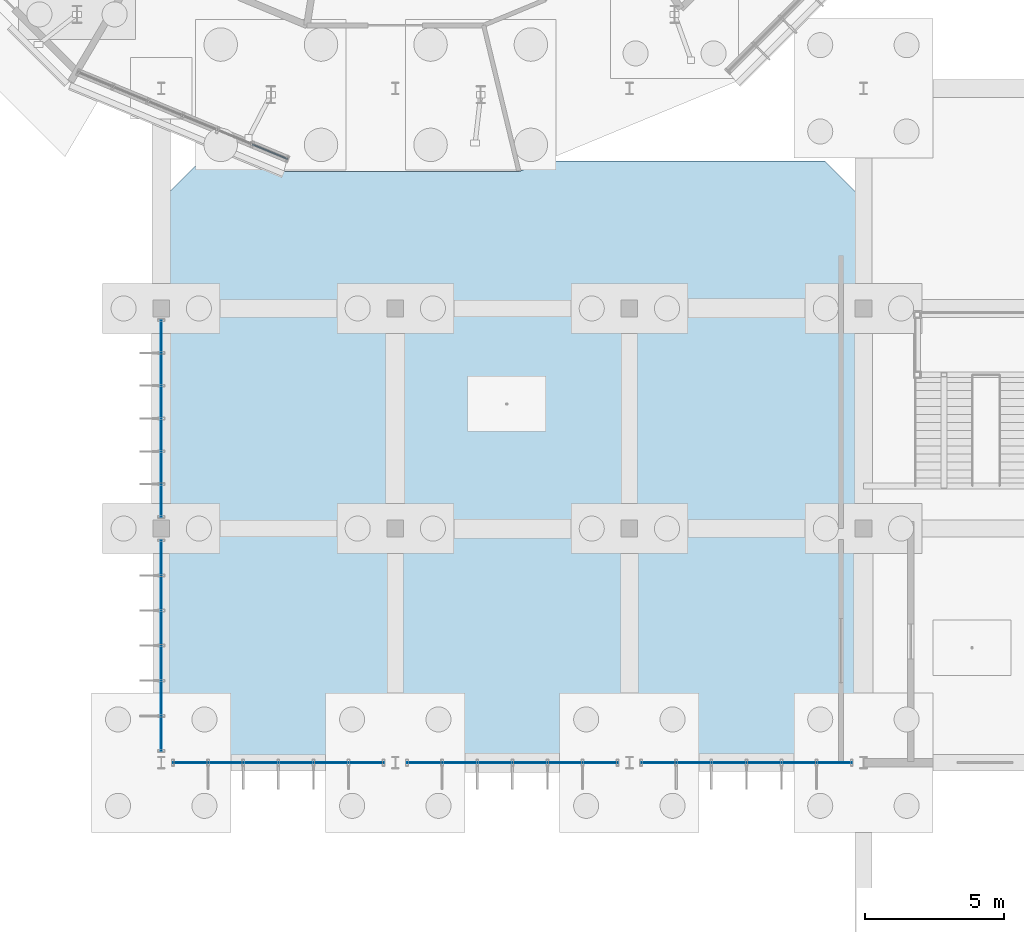
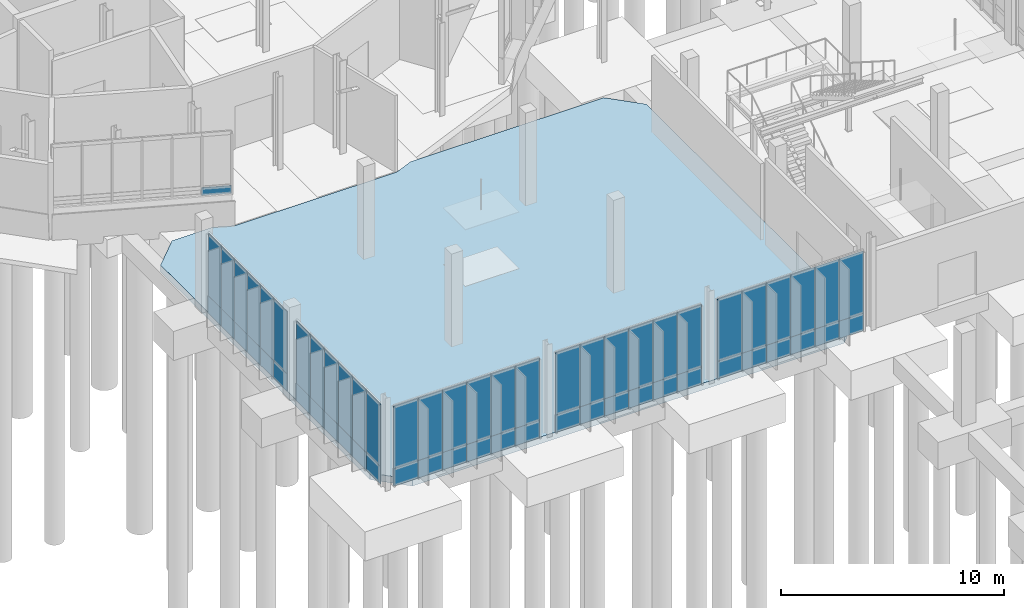
# One storey, part 65 of 119: 61 plates, 1 slab, 6 elements without a shape of their own.
"""IFC4 building model written with IfcOpenShell, lengths in metres."""

from ifc_helpers import new_model, si_unit, derived_unit, direction, frame, origin, origin_2d, place, context, subcontext, project, spatial, polyline, rectangle, outline, extrude, material, layer, layer_set, type_object, element, aggregate, save


model = new_model("IFC4")

# Units and contexts
model_context = context("Model", 3, precision=1e-05, world=origin(), true_north=direction((0.0, 1.0)))
body_context = subcontext(model_context, "Body", "Model", "MODEL_VIEW")
ifc_project = project(units=[si_unit("LENGTHUNIT", "METRE"), si_unit("AREAUNIT", "SQUARE_METRE"), si_unit("VOLUMEUNIT", "CUBIC_METRE"), si_unit("PLANEANGLEUNIT", "RADIAN"), si_unit("MASSUNIT", "GRAM", prefix="KILO"), derived_unit("THERMALTRANSMITTANCEUNIT", [(si_unit("MASSUNIT", "GRAM", prefix="KILO"), 1), (si_unit("TIMEUNIT", "SECOND"), -3), (si_unit("THERMODYNAMICTEMPERATUREUNIT", "KELVIN"), -1)])], contexts=[model_context])

# Site, building, storey
site_placement = place(None, origin())
site = spatial("IfcSite", under=ifc_project, at=site_placement, CompositionType="ELEMENT")
building_placement = place(site_placement, origin())
building = spatial("IfcBuilding", under=site, at=building_placement, Name="Makaiwela Harbour Ferry Terminal", CompositionType="ELEMENT")
storey_placement = place(building_placement, origin())
storey = spatial("IfcBuildingStorey", under=building, at=storey_placement, Name="L00", CompositionType="ELEMENT", Elevation=0.0)

# Curtain wall, plates
ifc_material_1 = material(Name="Marine anodised aluminium 6063-T6", Category="aluminium")
ifc_layer_1 = layer(ifc_material_1, 0.199951171875)
ifc_layer_set_1 = layer_set([ifc_layer_1], Name="Marine anodised aluminium 6063-T6")
curtain_wall_type_1 = type_object("IfcCurtainWallType", Name="ENV-CW-10", PredefinedType="USERDEFINED", material=ifc_layer_set_1)
curtain_wall_1_placement = place(storey_placement, origin())
curtain_wall_1 = element("IfcCurtainWall", 1, at=curtain_wall_1_placement, inside=storey, type_object=curtain_wall_type_1, Name="Unitised Curtain Wall CWA-097", ObjectType="UNITIZED CURTAIN WALL", PredefinedType="USERDEFINED")
ifc_material_2 = material(Name="Laminated hurricane-impact low-E insulated glazing", Category="glass")
ifc_layer_2 = layer(ifc_material_2, 0.031982421875)
ifc_layer_set_2 = layer_set([ifc_layer_2], Name="Laminated hurricane-impact low-E insulated glazing")
plate_type_1 = type_object("IfcPlateType", Name="CW-PNL-G14", PredefinedType="CURTAIN_PANEL", material=ifc_layer_set_2)
plate_1_placement = place(storey_placement, frame((36.75, 25.199951171875, 0.949951171875), z_axis=(0.0, 0.0, 1.0), x_axis=(-1.0, 0.0, 0.0)))
plate_1 = element("IfcPlate", 2, at=plate_1_placement, type_object=plate_type_1, Name="Glazed Vision Panel CWA-097-1G", PredefinedType="CURTAIN_PANEL", context=body_context, shape_type="SweptSolid", body=[
    extrude(rectangle(XDim=1.260009765625, YDim=0.031982421875, at=origin_2d()), origin(), (0.0, 0.0, 1.0), 3.39990234375),
])
plate_2_placement = place(storey_placement, frame((35.489990234375, 25.199951171875, 0.949951171875), z_axis=(0.0, 0.0, 1.0), x_axis=(-1.0, 0.0, 0.0)))
plate_2 = element("IfcPlate", 3, at=plate_2_placement, type_object=plate_type_1, Name="Glazed Vision Panel CWA-097-2G", PredefinedType="CURTAIN_PANEL", context=body_context, shape_type="SweptSolid", body=[
    extrude(rectangle(XDim=1.260009765625, YDim=0.031982421875, at=origin_2d()), origin(), (0.0, 0.0, 1.0), 3.39990234375),
])
plate_3_placement = place(storey_placement, frame((34.22998046875, 25.199951171875, 0.949951171875), z_axis=(0.0, 0.0, 1.0), x_axis=(-1.0, 0.0, 0.0)))
plate_3 = element("IfcPlate", 4, at=plate_3_placement, type_object=plate_type_1, Name="Glazed Vision Panel CWA-097-3G", PredefinedType="CURTAIN_PANEL", context=body_context, shape_type="SweptSolid", body=[
    extrude(rectangle(XDim=1.260009765625, YDim=0.031982421875, at=origin_2d()), origin(), (0.0, 0.0, 1.0), 3.39990234375),
])
plate_4_placement = place(storey_placement, frame((32.969970703125, 25.199951171875, 0.949951171875), z_axis=(0.0, 0.0, 1.0), x_axis=(-1.0, 0.0, 0.0)))
plate_4 = element("IfcPlate", 5, at=plate_4_placement, type_object=plate_type_1, Name="Glazed Vision Panel CWA-097-4G", PredefinedType="CURTAIN_PANEL", context=body_context, shape_type="SweptSolid", body=[
    extrude(rectangle(XDim=1.260009765625, YDim=0.031982421875, at=origin_2d()), origin(), (0.0, 0.0, 1.0), 3.39990234375),
])
plate_5_placement = place(storey_placement, frame((31.7099609375, 25.199951171875, 0.949951171875), z_axis=(0.0, 0.0, 1.0), x_axis=(-1.0, 0.0, 0.0)))
plate_5 = element("IfcPlate", 6, at=plate_5_placement, type_object=plate_type_1, Name="Glazed Vision Panel CWA-097-5G", PredefinedType="CURTAIN_PANEL", context=body_context, shape_type="SweptSolid", body=[
    extrude(rectangle(XDim=1.260009765625, YDim=0.031982421875, at=origin_2d()), origin(), (0.0, 0.0, 1.0), 3.39990234375),
])
plate_6_placement = place(storey_placement, frame((30.449951171875, 25.199951171875, 0.949951171875), z_axis=(0.0, 0.0, 1.0), x_axis=(-1.0, 0.0, 0.0)))
plate_6 = element("IfcPlate", 7, at=plate_6_placement, type_object=plate_type_1, Name="Glazed Vision Panel CWA-097-6G", PredefinedType="CURTAIN_PANEL", context=body_context, shape_type="SweptSolid", body=[
    extrude(rectangle(XDim=1.260009765625, YDim=0.031982421875, at=origin_2d()), origin(), (0.0, 0.0, 1.0), 3.39990234375),
])

curtain_wall_2_placement = place(storey_placement, origin())
curtain_wall_2 = element("IfcCurtainWall", 8, at=curtain_wall_2_placement, inside=storey, type_object=curtain_wall_type_1, Name="Unitised Curtain Wall CWA-100", ObjectType="UNITIZED CURTAIN WALL", PredefinedType="USERDEFINED")
plate_7_placement = place(storey_placement, frame((45.14990234375, 25.199951171875, 0.949951171875), z_axis=(0.0, 0.0, 1.0), x_axis=(-1.0, 0.0, 0.0)))
plate_7 = element("IfcPlate", 9, at=plate_7_placement, type_object=plate_type_1, Name="Glazed Vision Panel CWA-100-1G", PredefinedType="CURTAIN_PANEL", context=body_context, shape_type="SweptSolid", body=[
    extrude(rectangle(XDim=1.260009765625, YDim=0.031982421875, at=origin_2d()), origin(), (0.0, 0.0, 1.0), 3.39990234375),
])
plate_8_placement = place(storey_placement, frame((43.889892578125, 25.199951171875, 0.949951171875), z_axis=(0.0, 0.0, 1.0), x_axis=(-1.0, 0.0, 0.0)))
plate_8 = element("IfcPlate", 10, at=plate_8_placement, type_object=plate_type_1, Name="Glazed Vision Panel CWA-100-2G", PredefinedType="CURTAIN_PANEL", context=body_context, shape_type="SweptSolid", body=[
    extrude(rectangle(XDim=1.260009765625, YDim=0.031982421875, at=origin_2d()), origin(), (0.0, 0.0, 1.0), 3.39990234375),
])
plate_9_placement = place(storey_placement, frame((42.6298828125, 25.199951171875, 0.949951171875), z_axis=(0.0, 0.0, 1.0), x_axis=(-1.0, 0.0, 0.0)))
plate_9 = element("IfcPlate", 11, at=plate_9_placement, type_object=plate_type_1, Name="Glazed Vision Panel CWA-100-3G", PredefinedType="CURTAIN_PANEL", context=body_context, shape_type="SweptSolid", body=[
    extrude(rectangle(XDim=1.260009765625, YDim=0.031982421875, at=origin_2d()), origin(), (0.0, 0.0, 1.0), 3.39990234375),
])
plate_10_placement = place(storey_placement, frame((41.3701171875, 25.199951171875, 0.949951171875), z_axis=(0.0, 0.0, 1.0), x_axis=(-1.0, 0.0, 0.0)))
plate_10 = element("IfcPlate", 12, at=plate_10_placement, type_object=plate_type_1, Name="Glazed Vision Panel CWA-100-4G", PredefinedType="CURTAIN_PANEL", context=body_context, shape_type="SweptSolid", body=[
    extrude(rectangle(XDim=1.260009765625, YDim=0.031982421875, at=origin_2d()), origin(), (0.0, 0.0, 1.0), 3.39990234375),
])
plate_11_placement = place(storey_placement, frame((40.110107421875, 25.199951171875, 0.949951171875), z_axis=(0.0, 0.0, 1.0), x_axis=(-1.0, 0.0, 0.0)))
plate_11 = element("IfcPlate", 13, at=plate_11_placement, type_object=plate_type_1, Name="Glazed Vision Panel CWA-100-5G", PredefinedType="CURTAIN_PANEL", context=body_context, shape_type="SweptSolid", body=[
    extrude(rectangle(XDim=1.260009765625, YDim=0.031982421875, at=origin_2d()), origin(), (0.0, 0.0, 1.0), 3.39990234375),
])
plate_12_placement = place(storey_placement, frame((38.85009765625, 25.199951171875, 0.949951171875), z_axis=(0.0, 0.0, 1.0), x_axis=(-1.0, 0.0, 0.0)))
plate_12 = element("IfcPlate", 14, at=plate_12_placement, type_object=plate_type_1, Name="Glazed Vision Panel CWA-100-6G", PredefinedType="CURTAIN_PANEL", context=body_context, shape_type="SweptSolid", body=[
    extrude(rectangle(XDim=1.260009765625, YDim=0.031982421875, at=origin_2d()), origin(), (0.0, 0.0, 1.0), 3.39990234375),
])

curtain_wall_3_placement = place(storey_placement, origin())
curtain_wall_3 = element("IfcCurtainWall", 15, at=curtain_wall_3_placement, inside=storey, type_object=curtain_wall_type_1, Name="Unitised Curtain Wall CWA-103", ObjectType="UNITIZED CURTAIN WALL", PredefinedType="USERDEFINED")
plate_13_placement = place(storey_placement, frame((53.550048828125, 25.199951171875, 0.949951171875), z_axis=(0.0, 0.0, 1.0), x_axis=(-1.0, 0.0, 0.0)))
plate_13 = element("IfcPlate", 16, at=plate_13_placement, type_object=plate_type_1, Name="Glazed Vision Panel CWA-103-1G", PredefinedType="CURTAIN_PANEL", context=body_context, shape_type="SweptSolid", body=[
    extrude(rectangle(XDim=1.260009765625, YDim=0.031982421875, at=origin_2d()), origin(), (0.0, 0.0, 1.0), 3.39990234375),
])
plate_14_placement = place(storey_placement, frame((52.2900390625, 25.199951171875, 0.949951171875), z_axis=(0.0, 0.0, 1.0), x_axis=(-1.0, 0.0, 0.0)))
plate_14 = element("IfcPlate", 17, at=plate_14_placement, type_object=plate_type_1, Name="Glazed Vision Panel CWA-103-2G", PredefinedType="CURTAIN_PANEL", context=body_context, shape_type="SweptSolid", body=[
    extrude(rectangle(XDim=1.260009765625, YDim=0.031982421875, at=origin_2d()), origin(), (0.0, 0.0, 1.0), 3.39990234375),
])
plate_15_placement = place(storey_placement, frame((51.030029296875, 25.199951171875, 0.949951171875), z_axis=(0.0, 0.0, 1.0), x_axis=(-1.0, 0.0, 0.0)))
plate_15 = element("IfcPlate", 18, at=plate_15_placement, type_object=plate_type_1, Name="Glazed Vision Panel CWA-103-3G", PredefinedType="CURTAIN_PANEL", context=body_context, shape_type="SweptSolid", body=[
    extrude(rectangle(XDim=1.260009765625, YDim=0.031982421875, at=origin_2d()), origin(), (0.0, 0.0, 1.0), 3.39990234375),
])
plate_16_placement = place(storey_placement, frame((49.77001953125, 25.199951171875, 0.949951171875), z_axis=(0.0, 0.0, 1.0), x_axis=(-1.0, 0.0, 0.0)))
plate_16 = element("IfcPlate", 19, at=plate_16_placement, type_object=plate_type_1, Name="Glazed Vision Panel CWA-103-4G", PredefinedType="CURTAIN_PANEL", context=body_context, shape_type="SweptSolid", body=[
    extrude(rectangle(XDim=1.260009765625, YDim=0.031982421875, at=origin_2d()), origin(), (0.0, 0.0, 1.0), 3.39990234375),
])
plate_17_placement = place(storey_placement, frame((48.510009765625, 25.199951171875, 0.949951171875), z_axis=(0.0, 0.0, 1.0), x_axis=(-1.0, 0.0, 0.0)))
plate_17 = element("IfcPlate", 20, at=plate_17_placement, type_object=plate_type_1, Name="Glazed Vision Panel CWA-103-5G", PredefinedType="CURTAIN_PANEL", context=body_context, shape_type="SweptSolid", body=[
    extrude(rectangle(XDim=1.260009765625, YDim=0.031982421875, at=origin_2d()), origin(), (0.0, 0.0, 1.0), 3.39990234375),
])
plate_18_placement = place(storey_placement, frame((47.25, 25.199951171875, 0.949951171875), z_axis=(0.0, 0.0, 1.0), x_axis=(-1.0, 0.0, 0.0)))
plate_18 = element("IfcPlate", 21, at=plate_18_placement, type_object=plate_type_1, Name="Glazed Vision Panel CWA-103-6G", PredefinedType="CURTAIN_PANEL", context=body_context, shape_type="SweptSolid", body=[
    extrude(rectangle(XDim=1.260009765625, YDim=0.031982421875, at=origin_2d()), origin(), (0.0, 0.0, 1.0), 3.39990234375),
])

curtain_wall_4_placement = place(storey_placement, origin())
curtain_wall_4 = element("IfcCurtainWall", 22, at=curtain_wall_4_placement, inside=storey, type_object=curtain_wall_type_1, Name="Unitised Curtain Wall CWA-114", ObjectType="UNITIZED CURTAIN WALL", PredefinedType="USERDEFINED")
plate_19_placement = place(storey_placement, frame((29.39990234375, 26.25, 0.949951171875), z_axis=(0.0, 0.0, 1.0), x_axis=(0.0, 1.0, 0.0)))
plate_19 = element("IfcPlate", 23, at=plate_19_placement, type_object=plate_type_1, Name="Glazed Vision Panel CWA-114-1G", PredefinedType="CURTAIN_PANEL", context=body_context, shape_type="SweptSolid", body=[
    extrude(rectangle(XDim=1.260009765625, YDim=0.031982421875, at=origin_2d()), origin(), (0.0, 0.0, 1.0), 3.39990234375),
])
plate_20_placement = place(storey_placement, frame((29.39990234375, 27.510009765625, 0.949951171875), z_axis=(0.0, 0.0, 1.0), x_axis=(0.0, 1.0, 0.0)))
plate_20 = element("IfcPlate", 24, at=plate_20_placement, type_object=plate_type_1, Name="Glazed Vision Panel CWA-114-2G", PredefinedType="CURTAIN_PANEL", context=body_context, shape_type="SweptSolid", body=[
    extrude(rectangle(XDim=1.260009765625, YDim=0.031982421875, at=origin_2d()), origin(), (0.0, 0.0, 1.0), 3.39990234375),
])
plate_21_placement = place(storey_placement, frame((29.39990234375, 28.77001953125, 0.949951171875), z_axis=(0.0, 0.0, 1.0), x_axis=(0.0, 1.0, 0.0)))
plate_21 = element("IfcPlate", 25, at=plate_21_placement, type_object=plate_type_1, Name="Glazed Vision Panel CWA-114-3G", PredefinedType="CURTAIN_PANEL", context=body_context, shape_type="SweptSolid", body=[
    extrude(rectangle(XDim=1.260009765625, YDim=0.031982421875, at=origin_2d()), origin(), (0.0, 0.0, 1.0), 3.39990234375),
])
plate_22_placement = place(storey_placement, frame((29.39990234375, 30.030029296875, 0.949951171875), z_axis=(0.0, 0.0, 1.0), x_axis=(0.0, 1.0, 0.0)))
plate_22 = element("IfcPlate", 26, at=plate_22_placement, type_object=plate_type_1, Name="Glazed Vision Panel CWA-114-4G", PredefinedType="CURTAIN_PANEL", context=body_context, shape_type="SweptSolid", body=[
    extrude(rectangle(XDim=1.260009765625, YDim=0.031982421875, at=origin_2d()), origin(), (0.0, 0.0, 1.0), 3.39990234375),
])
plate_23_placement = place(storey_placement, frame((29.39990234375, 31.2900390625, 0.949951171875), z_axis=(0.0, 0.0, 1.0), x_axis=(0.0, 1.0, 0.0)))
plate_23 = element("IfcPlate", 27, at=plate_23_placement, type_object=plate_type_1, Name="Glazed Vision Panel CWA-114-5G", PredefinedType="CURTAIN_PANEL", context=body_context, shape_type="SweptSolid", body=[
    extrude(rectangle(XDim=1.260009765625, YDim=0.031982421875, at=origin_2d()), origin(), (0.0, 0.0, 1.0), 3.39990234375),
])
plate_24_placement = place(storey_placement, frame((29.39990234375, 32.550048828125, 0.949951171875), z_axis=(0.0, 0.0, 1.0), x_axis=(0.0, 1.0, 0.0)))
plate_24 = element("IfcPlate", 28, at=plate_24_placement, type_object=plate_type_1, Name="Glazed Vision Panel CWA-114-6G", PredefinedType="CURTAIN_PANEL", context=body_context, shape_type="SweptSolid", body=[
    extrude(rectangle(XDim=1.260009765625, YDim=0.031982421875, at=origin_2d()), origin(), (0.0, 0.0, 1.0), 3.39990234375),
])

ifc_layer_3 = layer(ifc_material_1, 0.199951171875)
ifc_layer_set_3 = layer_set([ifc_layer_3], Name="Marine anodised aluminium 6063-T6")
curtain_wall_type_2 = type_object("IfcCurtainWallType", Name="ENV-CW-12", PredefinedType="USERDEFINED", material=ifc_layer_set_3)
curtain_wall_5_placement = place(storey_placement, origin())
curtain_wall_5 = element("IfcCurtainWall", 29, at=curtain_wall_5_placement, inside=storey, type_object=curtain_wall_type_2, Name="Unitised Curtain Wall CWA-117", ObjectType="UNITIZED CURTAIN WALL", PredefinedType="USERDEFINED")
ifc_layer_4 = layer(ifc_material_2, 0.031982421875)
ifc_layer_set_4 = layer_set([ifc_layer_4], Name="Laminated hurricane-impact low-E insulated glazing")
plate_type_2 = type_object("IfcPlateType", Name="CW-PNL-G17", PredefinedType="CURTAIN_PANEL", material=ifc_layer_set_4)
plate_25_placement = place(storey_placement, frame((29.39990234375, 34.6083984375, 0.949951171875), z_axis=(0.0, 0.0, 1.0), x_axis=(0.0, 1.0, 0.0)))
plate_25 = element("IfcPlate", 30, at=plate_25_placement, type_object=plate_type_2, Name="Glazed Vision Panel CWA-117-1G", PredefinedType="CURTAIN_PANEL", context=body_context, shape_type="SweptSolid", body=[
    extrude(rectangle(XDim=1.1767578125, YDim=0.031982421875, at=origin_2d()), origin(), (0.0, 0.0, 1.0), 3.39990234375),
])
plate_26_placement = place(storey_placement, frame((29.39990234375, 35.784912109375, 0.949951171875), z_axis=(0.0, 0.0, 1.0), x_axis=(0.0, 1.0, 0.0)))
plate_26 = element("IfcPlate", 31, at=plate_26_placement, type_object=plate_type_2, Name="Glazed Vision Panel CWA-117-2G", PredefinedType="CURTAIN_PANEL", context=body_context, shape_type="SweptSolid", body=[
    extrude(rectangle(XDim=1.1767578125, YDim=0.031982421875, at=origin_2d()), origin(), (0.0, 0.0, 1.0), 3.39990234375),
])
plate_27_placement = place(storey_placement, frame((29.39990234375, 36.961669921875, 0.949951171875), z_axis=(0.0, 0.0, 1.0), x_axis=(0.0, 1.0, 0.0)))
plate_27 = element("IfcPlate", 32, at=plate_27_placement, type_object=plate_type_2, Name="Glazed Vision Panel CWA-117-3G", PredefinedType="CURTAIN_PANEL", context=body_context, shape_type="SweptSolid", body=[
    extrude(rectangle(XDim=1.1767578125, YDim=0.031982421875, at=origin_2d()), origin(), (0.0, 0.0, 1.0), 3.39990234375),
])
plate_28_placement = place(storey_placement, frame((29.39990234375, 38.13818359375, 0.949951171875), z_axis=(0.0, 0.0, 1.0), x_axis=(0.0, 1.0, 0.0)))
plate_28 = element("IfcPlate", 33, at=plate_28_placement, type_object=plate_type_2, Name="Glazed Vision Panel CWA-117-4G", PredefinedType="CURTAIN_PANEL", context=body_context, shape_type="SweptSolid", body=[
    extrude(rectangle(XDim=1.1767578125, YDim=0.031982421875, at=origin_2d()), origin(), (0.0, 0.0, 1.0), 3.39990234375),
])
plate_29_placement = place(storey_placement, frame((29.39990234375, 39.31494140625, 0.949951171875), z_axis=(0.0, 0.0, 1.0), x_axis=(0.0, 1.0, 0.0)))
plate_29 = element("IfcPlate", 34, at=plate_29_placement, type_object=plate_type_2, Name="Glazed Vision Panel CWA-117-5G", PredefinedType="CURTAIN_PANEL", context=body_context, shape_type="SweptSolid", body=[
    extrude(rectangle(XDim=1.1767578125, YDim=0.031982421875, at=origin_2d()), origin(), (0.0, 0.0, 1.0), 3.39990234375),
])
plate_30_placement = place(storey_placement, frame((29.39990234375, 40.49169921875, 0.949951171875), z_axis=(0.0, 0.0, 1.0), x_axis=(0.0, 1.0, 0.0)))
plate_30 = element("IfcPlate", 35, at=plate_30_placement, type_object=plate_type_2, Name="Glazed Vision Panel CWA-117-6G", PredefinedType="CURTAIN_PANEL", context=body_context, shape_type="SweptSolid", body=[
    extrude(rectangle(XDim=1.1767578125, YDim=0.031982421875, at=origin_2d()), origin(), (0.0, 0.0, 1.0), 3.39990234375),
])

# Curtain wall, plate
ifc_layer_5 = layer(ifc_material_1, 0.199951171875)
ifc_layer_set_5 = layer_set([ifc_layer_5], Name="Marine anodised aluminium 6063-T6")
curtain_wall_type_3 = type_object("IfcCurtainWallType", Name="ENV-CW-01", PredefinedType="USERDEFINED", material=ifc_layer_set_5)
curtain_wall_6_placement = place(storey_placement, origin())
curtain_wall_6 = element("IfcCurtainWall", 36, at=curtain_wall_6_placement, inside=storey, type_object=curtain_wall_type_3, Name="Unitised Curtain Wall CWA-008", ObjectType="UNITIZED CURTAIN WALL", PredefinedType="USERDEFINED")
ifc_material_3 = material(Name="Insulated marine aluminium spandrel panel", Category="aluminium")
ifc_layer_6 = layer(ifc_material_3, 0.048095703125)
ifc_layer_set_6 = layer_set([ifc_layer_6], Name="Insulated marine aluminium spandrel panel")
plate_type_3 = type_object("IfcPlateType", Name="CW-PNL-S01", PredefinedType="CURTAIN_PANEL", material=ifc_layer_set_6)
plate_31_placement = place(storey_placement, frame((33.29931640625, 47.12451171875, 1.47998046875), z_axis=(0.0, 0.0, 1.0), x_axis=(0.923879532511, -0.382683432365, 0.0)))
plate_31 = element("IfcPlate", 37, at=plate_31_placement, type_object=plate_type_3, Name="Spandrel Panel CWA-008-6S", PredefinedType="CURTAIN_PANEL", context=body_context, shape_type="SweptSolid", body=[
    extrude(rectangle(XDim=1.355712890625, YDim=0.048095703125, at=origin_2d()), origin(), (0.0, 0.0, 1.0), 0.419921875),
])
aggregate(curtain_wall_6, [plate_31])

# Plate
ifc_layer_7 = layer(ifc_material_3, 0.048095703125)
ifc_layer_set_7 = layer_set([ifc_layer_7], Name="Insulated marine aluminium spandrel panel")
plate_type_4 = type_object("IfcPlateType", Name="CW-PNL-S11", PredefinedType="CURTAIN_PANEL", material=ifc_layer_set_7)
plate_32_placement = place(storey_placement, frame((36.75, 25.199951171875, 0.0), z_axis=(0.0, 0.0, 1.0), x_axis=(-1.0, 0.0, 0.0)))
plate_32 = element("IfcPlate", 38, at=plate_32_placement, type_object=plate_type_4, Name="Spandrel Panel CWA-097-1S", PredefinedType="CURTAIN_PANEL", context=body_context, shape_type="SweptSolid", body=[
    extrude(rectangle(XDim=1.260009765625, YDim=0.048095703125, at=origin_2d()), origin(), (0.0, 0.0, 1.0), 0.949951171875),
])

plate_33_placement = place(storey_placement, frame((35.489990234375, 25.199951171875, 0.0), z_axis=(0.0, 0.0, 1.0), x_axis=(-1.0, 0.0, 0.0)))
plate_33 = element("IfcPlate", 39, at=plate_33_placement, type_object=plate_type_4, Name="Spandrel Panel CWA-097-2S", PredefinedType="CURTAIN_PANEL", context=body_context, shape_type="SweptSolid", body=[
    extrude(rectangle(XDim=1.260009765625, YDim=0.048095703125, at=origin_2d()), origin(), (0.0, 0.0, 1.0), 0.949951171875),
])

plate_34_placement = place(storey_placement, frame((34.22998046875, 25.199951171875, 0.0), z_axis=(0.0, 0.0, 1.0), x_axis=(-1.0, 0.0, 0.0)))
plate_34 = element("IfcPlate", 40, at=plate_34_placement, type_object=plate_type_4, Name="Spandrel Panel CWA-097-3S", PredefinedType="CURTAIN_PANEL", context=body_context, shape_type="SweptSolid", body=[
    extrude(rectangle(XDim=1.260009765625, YDim=0.048095703125, at=origin_2d()), origin(), (0.0, 0.0, 1.0), 0.949951171875),
])

plate_35_placement = place(storey_placement, frame((32.969970703125, 25.199951171875, 0.0), z_axis=(0.0, 0.0, 1.0), x_axis=(-1.0, 0.0, 0.0)))
plate_35 = element("IfcPlate", 41, at=plate_35_placement, type_object=plate_type_4, Name="Spandrel Panel CWA-097-4S", PredefinedType="CURTAIN_PANEL", context=body_context, shape_type="SweptSolid", body=[
    extrude(rectangle(XDim=1.260009765625, YDim=0.048095703125, at=origin_2d()), origin(), (0.0, 0.0, 1.0), 0.949951171875),
])

plate_36_placement = place(storey_placement, frame((31.7099609375, 25.199951171875, 0.0), z_axis=(0.0, 0.0, 1.0), x_axis=(-1.0, 0.0, 0.0)))
plate_36 = element("IfcPlate", 42, at=plate_36_placement, type_object=plate_type_4, Name="Spandrel Panel CWA-097-5S", PredefinedType="CURTAIN_PANEL", context=body_context, shape_type="SweptSolid", body=[
    extrude(rectangle(XDim=1.260009765625, YDim=0.048095703125, at=origin_2d()), origin(), (0.0, 0.0, 1.0), 0.949951171875),
])

plate_37_placement = place(storey_placement, frame((30.449951171875, 25.199951171875, 0.0), z_axis=(0.0, 0.0, 1.0), x_axis=(-1.0, 0.0, 0.0)))
plate_37 = element("IfcPlate", 43, at=plate_37_placement, type_object=plate_type_4, Name="Spandrel Panel CWA-097-6S", PredefinedType="CURTAIN_PANEL", context=body_context, shape_type="SweptSolid", body=[
    extrude(rectangle(XDim=1.260009765625, YDim=0.048095703125, at=origin_2d()), origin(), (0.0, 0.0, 1.0), 0.949951171875),
])

aggregate(curtain_wall_1, [plate_32, plate_1, plate_33, plate_2, plate_34, plate_3, plate_35, plate_4, plate_36, plate_5, plate_37, plate_6])

plate_38_placement = place(storey_placement, frame((45.14990234375, 25.199951171875, 0.0), z_axis=(0.0, 0.0, 1.0), x_axis=(-1.0, 0.0, 0.0)))
plate_38 = element("IfcPlate", 44, at=plate_38_placement, type_object=plate_type_4, Name="Spandrel Panel CWA-100-1S", PredefinedType="CURTAIN_PANEL", context=body_context, shape_type="SweptSolid", body=[
    extrude(rectangle(XDim=1.260009765625, YDim=0.048095703125, at=origin_2d()), origin(), (0.0, 0.0, 1.0), 0.949951171875),
])

plate_39_placement = place(storey_placement, frame((43.889892578125, 25.199951171875, 0.0), z_axis=(0.0, 0.0, 1.0), x_axis=(-1.0, 0.0, 0.0)))
plate_39 = element("IfcPlate", 45, at=plate_39_placement, type_object=plate_type_4, Name="Spandrel Panel CWA-100-2S", PredefinedType="CURTAIN_PANEL", context=body_context, shape_type="SweptSolid", body=[
    extrude(rectangle(XDim=1.260009765625, YDim=0.048095703125, at=origin_2d()), origin(), (0.0, 0.0, 1.0), 0.949951171875),
])

plate_40_placement = place(storey_placement, frame((42.6298828125, 25.199951171875, 0.0), z_axis=(0.0, 0.0, 1.0), x_axis=(-1.0, 0.0, 0.0)))
plate_40 = element("IfcPlate", 46, at=plate_40_placement, type_object=plate_type_4, Name="Spandrel Panel CWA-100-3S", PredefinedType="CURTAIN_PANEL", context=body_context, shape_type="SweptSolid", body=[
    extrude(rectangle(XDim=1.260009765625, YDim=0.048095703125, at=origin_2d()), origin(), (0.0, 0.0, 1.0), 0.949951171875),
])

plate_41_placement = place(storey_placement, frame((41.3701171875, 25.199951171875, 0.0), z_axis=(0.0, 0.0, 1.0), x_axis=(-1.0, 0.0, 0.0)))
plate_41 = element("IfcPlate", 47, at=plate_41_placement, type_object=plate_type_4, Name="Spandrel Panel CWA-100-4S", PredefinedType="CURTAIN_PANEL", context=body_context, shape_type="SweptSolid", body=[
    extrude(rectangle(XDim=1.260009765625, YDim=0.048095703125, at=origin_2d()), origin(), (0.0, 0.0, 1.0), 0.949951171875),
])

plate_42_placement = place(storey_placement, frame((40.110107421875, 25.199951171875, 0.0), z_axis=(0.0, 0.0, 1.0), x_axis=(-1.0, 0.0, 0.0)))
plate_42 = element("IfcPlate", 48, at=plate_42_placement, type_object=plate_type_4, Name="Spandrel Panel CWA-100-5S", PredefinedType="CURTAIN_PANEL", context=body_context, shape_type="SweptSolid", body=[
    extrude(rectangle(XDim=1.260009765625, YDim=0.048095703125, at=origin_2d()), origin(), (0.0, 0.0, 1.0), 0.949951171875),
])

plate_43_placement = place(storey_placement, frame((38.85009765625, 25.199951171875, 0.0), z_axis=(0.0, 0.0, 1.0), x_axis=(-1.0, 0.0, 0.0)))
plate_43 = element("IfcPlate", 49, at=plate_43_placement, type_object=plate_type_4, Name="Spandrel Panel CWA-100-6S", PredefinedType="CURTAIN_PANEL", context=body_context, shape_type="SweptSolid", body=[
    extrude(rectangle(XDim=1.260009765625, YDim=0.048095703125, at=origin_2d()), origin(), (0.0, 0.0, 1.0), 0.949951171875),
])

aggregate(curtain_wall_2, [plate_38, plate_7, plate_39, plate_8, plate_40, plate_9, plate_41, plate_10, plate_42, plate_11, plate_43, plate_12])

plate_44_placement = place(storey_placement, frame((53.550048828125, 25.199951171875, 0.0), z_axis=(0.0, 0.0, 1.0), x_axis=(-1.0, 0.0, 0.0)))
plate_44 = element("IfcPlate", 50, at=plate_44_placement, type_object=plate_type_4, Name="Spandrel Panel CWA-103-1S", PredefinedType="CURTAIN_PANEL", context=body_context, shape_type="SweptSolid", body=[
    extrude(rectangle(XDim=1.260009765625, YDim=0.048095703125, at=origin_2d()), origin(), (0.0, 0.0, 1.0), 0.949951171875),
])

plate_45_placement = place(storey_placement, frame((52.2900390625, 25.199951171875, 0.0), z_axis=(0.0, 0.0, 1.0), x_axis=(-1.0, 0.0, 0.0)))
plate_45 = element("IfcPlate", 51, at=plate_45_placement, type_object=plate_type_4, Name="Spandrel Panel CWA-103-2S", PredefinedType="CURTAIN_PANEL", context=body_context, shape_type="SweptSolid", body=[
    extrude(rectangle(XDim=1.260009765625, YDim=0.048095703125, at=origin_2d()), origin(), (0.0, 0.0, 1.0), 0.949951171875),
])

plate_46_placement = place(storey_placement, frame((51.030029296875, 25.199951171875, 0.0), z_axis=(0.0, 0.0, 1.0), x_axis=(-1.0, 0.0, 0.0)))
plate_46 = element("IfcPlate", 52, at=plate_46_placement, type_object=plate_type_4, Name="Spandrel Panel CWA-103-3S", PredefinedType="CURTAIN_PANEL", context=body_context, shape_type="SweptSolid", body=[
    extrude(rectangle(XDim=1.260009765625, YDim=0.048095703125, at=origin_2d()), origin(), (0.0, 0.0, 1.0), 0.949951171875),
])

plate_47_placement = place(storey_placement, frame((49.77001953125, 25.199951171875, 0.0), z_axis=(0.0, 0.0, 1.0), x_axis=(-1.0, 0.0, 0.0)))
plate_47 = element("IfcPlate", 53, at=plate_47_placement, type_object=plate_type_4, Name="Spandrel Panel CWA-103-4S", PredefinedType="CURTAIN_PANEL", context=body_context, shape_type="SweptSolid", body=[
    extrude(rectangle(XDim=1.260009765625, YDim=0.048095703125, at=origin_2d()), origin(), (0.0, 0.0, 1.0), 0.949951171875),
])

plate_48_placement = place(storey_placement, frame((48.510009765625, 25.199951171875, 0.0), z_axis=(0.0, 0.0, 1.0), x_axis=(-1.0, 0.0, 0.0)))
plate_48 = element("IfcPlate", 54, at=plate_48_placement, type_object=plate_type_4, Name="Spandrel Panel CWA-103-5S", PredefinedType="CURTAIN_PANEL", context=body_context, shape_type="SweptSolid", body=[
    extrude(rectangle(XDim=1.260009765625, YDim=0.048095703125, at=origin_2d()), origin(), (0.0, 0.0, 1.0), 0.949951171875),
])

plate_49_placement = place(storey_placement, frame((47.25, 25.199951171875, 0.0), z_axis=(0.0, 0.0, 1.0), x_axis=(-1.0, 0.0, 0.0)))
plate_49 = element("IfcPlate", 55, at=plate_49_placement, type_object=plate_type_4, Name="Spandrel Panel CWA-103-6S", PredefinedType="CURTAIN_PANEL", context=body_context, shape_type="SweptSolid", body=[
    extrude(rectangle(XDim=1.260009765625, YDim=0.048095703125, at=origin_2d()), origin(), (0.0, 0.0, 1.0), 0.949951171875),
])

aggregate(curtain_wall_3, [plate_44, plate_13, plate_45, plate_14, plate_46, plate_15, plate_47, plate_16, plate_48, plate_17, plate_49, plate_18])

plate_50_placement = place(storey_placement, frame((29.39990234375, 26.25, 0.0), z_axis=(0.0, 0.0, 1.0), x_axis=(0.0, 1.0, 0.0)))
plate_50 = element("IfcPlate", 56, at=plate_50_placement, type_object=plate_type_4, Name="Spandrel Panel CWA-114-1S", PredefinedType="CURTAIN_PANEL", context=body_context, shape_type="SweptSolid", body=[
    extrude(rectangle(XDim=1.260009765625, YDim=0.048095703125, at=origin_2d()), origin(), (0.0, 0.0, 1.0), 0.949951171875),
])

plate_51_placement = place(storey_placement, frame((29.39990234375, 27.510009765625, 0.0), z_axis=(0.0, 0.0, 1.0), x_axis=(0.0, 1.0, 0.0)))
plate_51 = element("IfcPlate", 57, at=plate_51_placement, type_object=plate_type_4, Name="Spandrel Panel CWA-114-2S", PredefinedType="CURTAIN_PANEL", context=body_context, shape_type="SweptSolid", body=[
    extrude(rectangle(XDim=1.260009765625, YDim=0.048095703125, at=origin_2d()), origin(), (0.0, 0.0, 1.0), 0.949951171875),
])

plate_52_placement = place(storey_placement, frame((29.39990234375, 28.77001953125, 0.0), z_axis=(0.0, 0.0, 1.0), x_axis=(0.0, 1.0, 0.0)))
plate_52 = element("IfcPlate", 58, at=plate_52_placement, type_object=plate_type_4, Name="Spandrel Panel CWA-114-3S", PredefinedType="CURTAIN_PANEL", context=body_context, shape_type="SweptSolid", body=[
    extrude(rectangle(XDim=1.260009765625, YDim=0.048095703125, at=origin_2d()), origin(), (0.0, 0.0, 1.0), 0.949951171875),
])

plate_53_placement = place(storey_placement, frame((29.39990234375, 30.030029296875, 0.0), z_axis=(0.0, 0.0, 1.0), x_axis=(0.0, 1.0, 0.0)))
plate_53 = element("IfcPlate", 59, at=plate_53_placement, type_object=plate_type_4, Name="Spandrel Panel CWA-114-4S", PredefinedType="CURTAIN_PANEL", context=body_context, shape_type="SweptSolid", body=[
    extrude(rectangle(XDim=1.260009765625, YDim=0.048095703125, at=origin_2d()), origin(), (0.0, 0.0, 1.0), 0.949951171875),
])

plate_54_placement = place(storey_placement, frame((29.39990234375, 31.2900390625, 0.0), z_axis=(0.0, 0.0, 1.0), x_axis=(0.0, 1.0, 0.0)))
plate_54 = element("IfcPlate", 60, at=plate_54_placement, type_object=plate_type_4, Name="Spandrel Panel CWA-114-5S", PredefinedType="CURTAIN_PANEL", context=body_context, shape_type="SweptSolid", body=[
    extrude(rectangle(XDim=1.260009765625, YDim=0.048095703125, at=origin_2d()), origin(), (0.0, 0.0, 1.0), 0.949951171875),
])

plate_55_placement = place(storey_placement, frame((29.39990234375, 32.550048828125, 0.0), z_axis=(0.0, 0.0, 1.0), x_axis=(0.0, 1.0, 0.0)))
plate_55 = element("IfcPlate", 61, at=plate_55_placement, type_object=plate_type_4, Name="Spandrel Panel CWA-114-6S", PredefinedType="CURTAIN_PANEL", context=body_context, shape_type="SweptSolid", body=[
    extrude(rectangle(XDim=1.260009765625, YDim=0.048095703125, at=origin_2d()), origin(), (0.0, 0.0, 1.0), 0.949951171875),
])

aggregate(curtain_wall_4, [plate_50, plate_19, plate_51, plate_20, plate_52, plate_21, plate_53, plate_22, plate_54, plate_23, plate_55, plate_24])

ifc_layer_8 = layer(ifc_material_3, 0.048095703125)
ifc_layer_set_8 = layer_set([ifc_layer_8], Name="Insulated marine aluminium spandrel panel")
plate_type_5 = type_object("IfcPlateType", Name="CW-PNL-S16", PredefinedType="CURTAIN_PANEL", material=ifc_layer_set_8)
plate_56_placement = place(storey_placement, frame((29.39990234375, 34.6083984375, 0.0), z_axis=(0.0, 0.0, 1.0), x_axis=(0.0, 1.0, 0.0)))
plate_56 = element("IfcPlate", 62, at=plate_56_placement, type_object=plate_type_5, Name="Spandrel Panel CWA-117-1S", PredefinedType="CURTAIN_PANEL", context=body_context, shape_type="SweptSolid", body=[
    extrude(rectangle(XDim=1.1767578125, YDim=0.048095703125, at=origin_2d()), origin(), (0.0, 0.0, 1.0), 0.949951171875),
])

plate_57_placement = place(storey_placement, frame((29.39990234375, 35.784912109375, 0.0), z_axis=(0.0, 0.0, 1.0), x_axis=(0.0, 1.0, 0.0)))
plate_57 = element("IfcPlate", 63, at=plate_57_placement, type_object=plate_type_5, Name="Spandrel Panel CWA-117-2S", PredefinedType="CURTAIN_PANEL", context=body_context, shape_type="SweptSolid", body=[
    extrude(rectangle(XDim=1.1767578125, YDim=0.048095703125, at=origin_2d()), origin(), (0.0, 0.0, 1.0), 0.949951171875),
])

plate_58_placement = place(storey_placement, frame((29.39990234375, 36.961669921875, 0.0), z_axis=(0.0, 0.0, 1.0), x_axis=(0.0, 1.0, 0.0)))
plate_58 = element("IfcPlate", 64, at=plate_58_placement, type_object=plate_type_5, Name="Spandrel Panel CWA-117-3S", PredefinedType="CURTAIN_PANEL", context=body_context, shape_type="SweptSolid", body=[
    extrude(rectangle(XDim=1.1767578125, YDim=0.048095703125, at=origin_2d()), origin(), (0.0, 0.0, 1.0), 0.949951171875),
])

plate_59_placement = place(storey_placement, frame((29.39990234375, 38.13818359375, 0.0), z_axis=(0.0, 0.0, 1.0), x_axis=(0.0, 1.0, 0.0)))
plate_59 = element("IfcPlate", 65, at=plate_59_placement, type_object=plate_type_5, Name="Spandrel Panel CWA-117-4S", PredefinedType="CURTAIN_PANEL", context=body_context, shape_type="SweptSolid", body=[
    extrude(rectangle(XDim=1.1767578125, YDim=0.048095703125, at=origin_2d()), origin(), (0.0, 0.0, 1.0), 0.949951171875),
])

plate_60_placement = place(storey_placement, frame((29.39990234375, 39.31494140625, 0.0), z_axis=(0.0, 0.0, 1.0), x_axis=(0.0, 1.0, 0.0)))
plate_60 = element("IfcPlate", 66, at=plate_60_placement, type_object=plate_type_5, Name="Spandrel Panel CWA-117-5S", PredefinedType="CURTAIN_PANEL", context=body_context, shape_type="SweptSolid", body=[
    extrude(rectangle(XDim=1.1767578125, YDim=0.048095703125, at=origin_2d()), origin(), (0.0, 0.0, 1.0), 0.949951171875),
])

plate_61_placement = place(storey_placement, frame((29.39990234375, 40.49169921875, 0.0), z_axis=(0.0, 0.0, 1.0), x_axis=(0.0, 1.0, 0.0)))
plate_61 = element("IfcPlate", 67, at=plate_61_placement, type_object=plate_type_5, Name="Spandrel Panel CWA-117-6S", PredefinedType="CURTAIN_PANEL", context=body_context, shape_type="SweptSolid", body=[
    extrude(rectangle(XDim=1.1767578125, YDim=0.048095703125, at=origin_2d()), origin(), (0.0, 0.0, 1.0), 0.949951171875),
])

aggregate(curtain_wall_5, [plate_56, plate_25, plate_57, plate_26, plate_58, plate_27, plate_59, plate_28, plate_60, plate_29, plate_61, plate_30])

# Slab
ifc_material_4 = material(Name="Concrete f'c 35 MPa (5000 psi)", Category="concrete")
ifc_layer_9 = layer(ifc_material_4, 0.360107421875)
ifc_layer_set_9 = layer_set([ifc_layer_9], Name="Concrete f'c 35 MPa (5000 psi)")
slab_type = type_object("IfcSlabType", Name="SLB-BASE-360", PredefinedType="BASESLAB", material=ifc_layer_set_9)
slab_placement = place(storey_placement, frame((0.0, 0.0, -0.360107421875)))
element("IfcSlab", 68, at=slab_placement, inside=storey, type_object=slab_type, Name="Slab SLB-003", PredefinedType="BASESLAB", context=body_context, shape_type="SweptSolid", body=[
    extrude(outline(polyline([(43.17626953125, 46.800048828125), (42.234619140625, 46.41015625), (33.864501953125, 46.410400390625), (32.923828125, 46.800048828125), (30.800048828125, 46.800048828125), (29.39990234375, 45.39990234375), (29.39990234375, 26.60009765625), (30.800048828125, 25.199951171875), (53.199951171875, 25.199951171875), (54.60009765625, 26.60009765625), (54.60009765625, 45.39990234375), (53.199951171875, 46.800048828125), (43.17626953125, 46.800048828125)])), origin(), (0.0, 0.0, 1.0), 0.360107421875),
])

save(model, "model.ifc")
